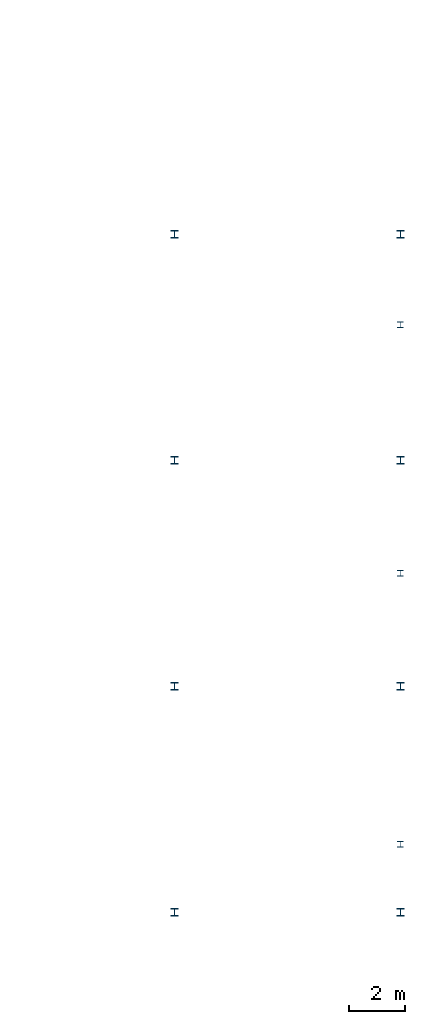
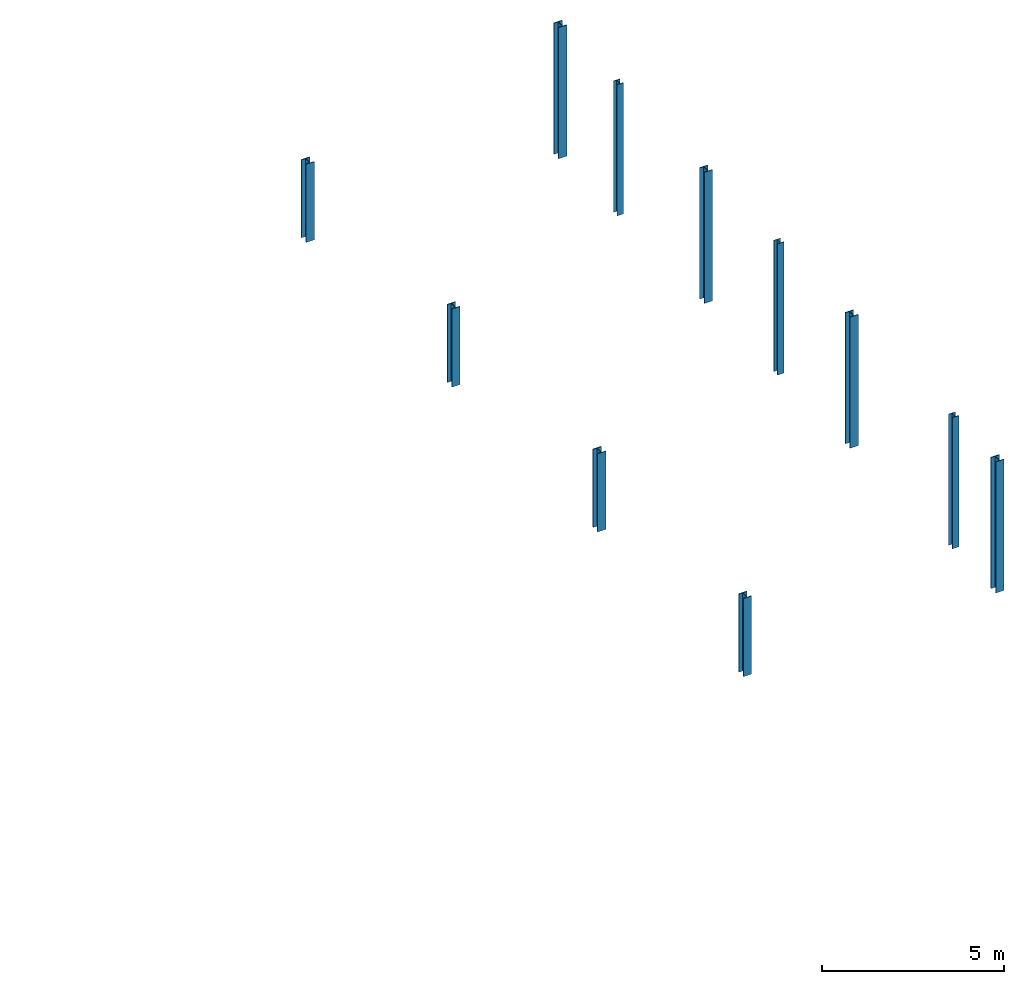
# One storey, part 5 of 22: 11 columns.
"""IFC4 building model written with IfcOpenShell, lengths in metres."""

from ifc_helpers import new_model, si_unit, direction, frame, origin, origin_2d, place, context, subcontext, project, spatial, i_section, extrude, material, material_profile, profile_set, type_object, element, save


model = new_model("IFC4")

# Units and contexts
model_context = context("Model", 3, precision=1e-05, world=origin(), true_north=direction((0.0, 1.0)))
body_context = subcontext(model_context, "Body", "Model", "MODEL_VIEW")
ifc_project = project(units=[si_unit("LENGTHUNIT", "METRE"), si_unit("AREAUNIT", "SQUARE_METRE"), si_unit("VOLUMEUNIT", "CUBIC_METRE"), si_unit("PLANEANGLEUNIT", "RADIAN"), si_unit("MASSUNIT", "GRAM", prefix="KILO")], contexts=[model_context])

# Site, building, storey
site_placement = place(None, origin())
site = spatial("IfcSite", under=ifc_project, at=site_placement, CompositionType="ELEMENT")
building_placement = place(site_placement, origin())
building = spatial("IfcBuilding", under=site, at=building_placement, Name="Dunescarp Central Library", CompositionType="ELEMENT")
storey_placement = place(building_placement, frame((0.0, 0.0, 27.60009765625)))
storey = spatial("IfcBuildingStorey", under=building, at=storey_placement, Name="L06", CompositionType="ELEMENT", Elevation=27.60009765625)

# Columns
ifc_material = material(Name="Steel S355JR", Category="steel")
ifc_material_profile_1 = material_profile(ifc_material, i_section(OverallWidth=0.206298828125, OverallDepth=0.2158203125, WebThickness=0.010009765625, FlangeThickness=0.017333984375, at=origin_2d()), Name="UC 203x203x71")
ifc_profile_set_1 = profile_set([ifc_material_profile_1], Name="Steel S355JR")
column_type_1 = type_object("IfcColumnType", Name="STR-COL-UC203X71", PredefinedType="COLUMN", material=ifc_profile_set_1)
for number, where, z_axis, x_axis, name in (
    (1, (124.800048828125, 7.199951171875, 0.0), (0.0, 0.0, 1.0), (1.0, 0.0, 0.0), "L06 column V3L-1248-72"),
    (2, (124.800048828125, 16.800048828125, 0.0), (0.0, 0.0, 1.0), (1.0, 0.0, 0.0), "L06 column V3L-1248-168"),
    (3, (124.800048828125, 25.60009765625, 0.0), (0.0, 0.0, 1.0), (1.0, 0.0, 0.0), "L06 column V3L-1248-256"),
):
    element("IfcColumn", number, at=place(storey_placement, frame(where, z_axis=z_axis, x_axis=x_axis)), inside=storey, type_object=column_type_1, Name=name, PredefinedType="COLUMN", context=body_context, shape_type="SweptSolid", body=[
        extrude(i_section(OverallWidth=0.206298828125, OverallDepth=0.2158203125, WebThickness=0.010009765625, FlangeThickness=0.017333984375, at=origin_2d()), origin(), (0.0, 0.0, 1.0), 4.39501953125),
    ])
ifc_material_profile_2 = material_profile(ifc_material, i_section(OverallWidth=0.26123046875, OverallDepth=0.2763671875, WebThickness=0.015380859375, FlangeThickness=0.025390625, at=origin_2d()), Name="UC 254x254x132")
ifc_profile_set_2 = profile_set([ifc_material_profile_2], Name="Steel S355JR")
column_type_2 = type_object("IfcColumnType", Name="STR-COL-UC254X132", PredefinedType="COLUMN", material=ifc_profile_set_2)
for number, where, z_axis, x_axis, name in (
    (4, (116.800048828125, 4.800048828125, 0.0), (0.0, 0.0, 1.0), (1.0, 0.0, 0.0), "L06 column V3-1168-48"),
    (5, (116.800048828125, 12.800048828125, 0.0), (0.0, 0.0, 1.0), (1.0, 0.0, 0.0), "L06 column V3-1168-128"),
    (6, (116.800048828125, 20.800048828125, 0.0), (0.0, 0.0, 1.0), (1.0, 0.0, 0.0), "L06 column V3-1168-208"),
    (7, (116.800048828125, 28.800048828125, 0.0), (0.0, 0.0, 1.0), (1.0, 0.0, 0.0), "L06 column V3-1168-288"),
):
    element("IfcColumn", number, at=place(storey_placement, frame(where, z_axis=z_axis, x_axis=x_axis)), inside=storey, type_object=column_type_2, Name=name, PredefinedType="COLUMN", context=body_context, shape_type="SweptSolid", body=[
        extrude(i_section(OverallWidth=0.26123046875, OverallDepth=0.2763671875, WebThickness=0.015380859375, FlangeThickness=0.025390625, at=origin_2d()), origin(), (0.0, 0.0, 1.0), 2.616943359375),
    ])
for number, where, z_axis, x_axis, name in (
    (8, (124.800048828125, 4.800048828125, 0.0), (0.0, 0.0, 1.0), (1.0, 0.0, 0.0), "L06 column V3-1248-48"),
    (9, (124.800048828125, 12.800048828125, 0.0), (0.0, 0.0, 1.0), (1.0, 0.0, 0.0), "L06 column V3-1248-128"),
    (10, (124.800048828125, 20.800048828125, 0.0), (0.0, 0.0, 1.0), (1.0, 0.0, 0.0), "L06 column V3-1248-208"),
    (11, (124.800048828125, 28.800048828125, 0.0), (0.0, 0.0, 1.0), (1.0, 0.0, 0.0), "L06 column V3-1248-288"),
):
    element("IfcColumn", number, at=place(storey_placement, frame(where, z_axis=z_axis, x_axis=x_axis)), inside=storey, type_object=column_type_2, Name=name, PredefinedType="COLUMN", context=body_context, shape_type="SweptSolid", body=[
        extrude(i_section(OverallWidth=0.26123046875, OverallDepth=0.2763671875, WebThickness=0.015380859375, FlangeThickness=0.025390625, at=origin_2d()), origin(), (0.0, 0.0, 1.0), 4.39501953125),
    ])

save(model, "model.ifc")
